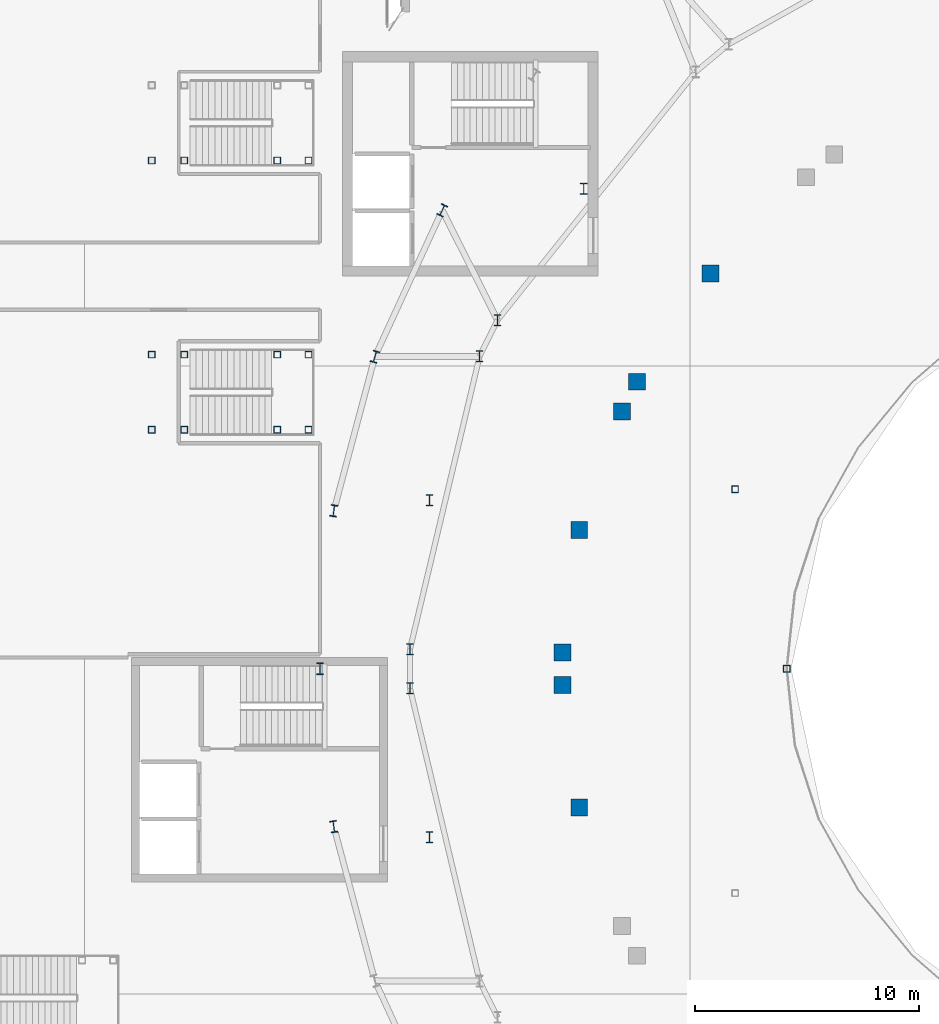
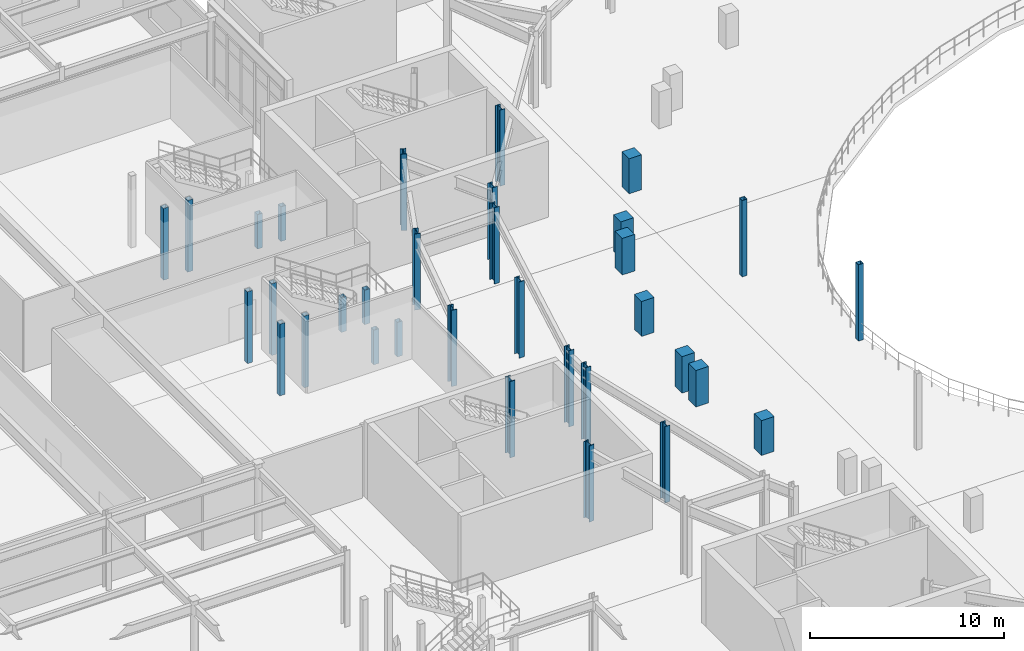
# One storey, part 9 of 84: 33 columns.
"""IFC4 building model written with IfcOpenShell, lengths in metres."""

import ifcopenshell
import ifcopenshell.guid

model = None  # the IFC model being written
_history = None  # IfcOwnerHistory: only IFC2X3 demands one
_inside = {}  # id of a spatial element -> (the spatial element, [elements in it])
_under = {}  # id of a project, library or spatial element -> (it, [spatial elements below it])
_declared = {}  # id of a project -> (the project, [libraries it declares])
_typed = {}  # id of a type object -> (the type object, [elements of that type])
_made_of = {}  # id of a material, layer set ... -> (it, [elements and type objects made of it])


def new_model(schema):
    """Start an empty IFC model of exactly this schema.

    Asked for "IFC4X3", IfcOpenShell would pick the latest addendum, in which some entities
    have other attributes; the version numbers below select the first issue.
    IFC2X3 requires an IfcOwnerHistory on every rooted entity: one is made here for all.
    """
    global model, _history
    if schema == "IFC4X3":
        model = ifcopenshell.file(schema_version=(4, 3, 0, 0))
    else:
        model = ifcopenshell.file(schema=schema)
    _inside.clear()
    _under.clear()
    _declared.clear()
    _typed.clear()
    _made_of.clear()
    _history = None
    if model.schema == "IFC2X3":
        org = make("IfcOrganization", Name="unknown")
        user = make(
            "IfcPersonAndOrganization",
            ThePerson=make("IfcPerson", FamilyName="unknown"),
            TheOrganization=org,
        )
        app = make(
            "IfcApplication",
            ApplicationDeveloper=org,
            Version="unknown",
            ApplicationFullName="unknown",
            ApplicationIdentifier="unknown",
        )
        _history = make(
            "IfcOwnerHistory",
            OwningUser=user,
            OwningApplication=app,
            ChangeAction="ADDED",
            CreationDate=0,
        )
    return model


def make(cls, **values):
    """One entity of the class cls with the attributes given. An attribute that is None is left unset."""
    return model.create_entity(
        cls, **{name: value for name, value in values.items() if value is not None}
    )


def rooted(cls, **values):
    """An entity with a GlobalId (a new one), such as an element, a storey or a relation."""
    return make(cls, GlobalId=ifcopenshell.guid.new(), OwnerHistory=_history, **values)


def si_unit(unit_type, name, prefix=None):
    """IfcSIUnit, for example si_unit("LENGTHUNIT", "METRE", prefix="MILLI")."""
    return make("IfcSIUnit", UnitType=unit_type, Prefix=prefix, Name=name)


def assignment(units):
    """IfcUnitAssignment: the units of a project."""
    return None if units is None else make("IfcUnitAssignment", Units=units)


def point(xyz):
    """IfcCartesianPoint."""
    return None if xyz is None else make("IfcCartesianPoint", Coordinates=xyz)


def direction(xyz):
    """IfcDirection."""
    return None if xyz is None else make("IfcDirection", DirectionRatios=xyz)


def frame(location, z_axis=None, x_axis=None):
    """IfcAxis2Placement3D, a coordinate frame: its origin and axes. An axis left out is left unset."""
    return make(
        "IfcAxis2Placement3D",
        Location=point(location),
        Axis=direction(z_axis),
        RefDirection=direction(x_axis),
    )


def frame_2d(location, x_axis=None):
    """IfcAxis2Placement2D, a coordinate frame in the plane: its origin and x axis."""
    return make(
        "IfcAxis2Placement2D", Location=point(location), RefDirection=direction(x_axis)
    )


def origin():
    """The frame at (0, 0, 0) with its axes left unset."""
    return frame((0.0, 0.0, 0.0))


def origin_2d():
    """The frame at (0, 0) in the plane with its x axis left unset."""
    return frame_2d((0.0, 0.0))


def place(relative_to, where):
    """IfcLocalPlacement: puts the frame where relative to a parent placement (None: the world)."""
    return make(
        "IfcLocalPlacement", PlacementRelTo=relative_to, RelativePlacement=where
    )


def context(
    kind, dimensions, precision=None, world=None, true_north=None, identifier=None
):
    """IfcGeometricRepresentationContext, for example the 3D "Model" context."""
    return make(
        "IfcGeometricRepresentationContext",
        ContextIdentifier=identifier,
        ContextType=kind,
        CoordinateSpaceDimension=dimensions,
        Precision=precision,
        WorldCoordinateSystem=world,
        TrueNorth=true_north,
    )


def subcontext(parent, identifier, kind, view, scale=None):
    """IfcGeometricRepresentationSubContext, for example "Body" below "Model"."""
    return make(
        "IfcGeometricRepresentationSubContext",
        ContextIdentifier=identifier,
        ContextType=kind,
        ParentContext=parent,
        TargetScale=scale,
        TargetView=view,
    )


def project(units=None, contexts=None):
    """IfcProject with its units and contexts."""
    return rooted(
        "IfcProject",
        Name="project",
        RepresentationContexts=contexts,
        UnitsInContext=assignment(units),
    )


def spatial(cls, under=None, at=None, **own):
    """A site, building, storey or space (cls), placed at a placement, below another one or the project."""
    s = rooted(cls, ObjectPlacement=at, **own)
    if under is not None:
        _under.setdefault(under.id(), (under, []))[1].append(s)
    return s


def profile(cls, at=None, kind="AREA", **sizes):
    """A parametric profile (cls). Its sizes go by their IFC names, for example OverallWidth=200.0."""
    return make(cls, ProfileType=kind, Position=at, **sizes)


def rectangle(**sizes):
    """IfcRectangleProfileDef."""
    return profile("IfcRectangleProfileDef", **sizes)


def hollow_rectangle(**sizes):
    """IfcRectangleHollowProfileDef."""
    return profile("IfcRectangleHollowProfileDef", **sizes)


def i_section(**sizes):
    """IfcIShapeProfileDef."""
    return profile("IfcIShapeProfileDef", **sizes)


def extrude(swept, where, along, depth):
    """IfcExtrudedAreaSolid: the profile swept, set in the frame where, extruded along a direction by depth."""
    return make(
        "IfcExtrudedAreaSolid",
        SweptArea=swept,
        Position=where,
        ExtrudedDirection=direction(along),
        Depth=depth,
    )


def shape(context_of_items, identifier, shape_type, items):
    """IfcShapeRepresentation: the items that make up one representation, for example the "Body"."""
    return make(
        "IfcShapeRepresentation",
        ContextOfItems=context_of_items,
        RepresentationIdentifier=identifier,
        RepresentationType=shape_type,
        Items=items,
    )


def material(Name=None, Category=None):
    """IfcMaterial."""
    return make("IfcMaterial", Name=Name, Category=Category)


def material_profile(
    of_material, cross_section, Name=None, Category=None, Priority=None
):
    """IfcMaterialProfile: a cross section and its material."""
    return make(
        "IfcMaterialProfile",
        Name=Name,
        Material=of_material,
        Profile=cross_section,
        Priority=Priority,
        Category=Category,
    )


def profile_set(profiles, Name=None, composite=None):
    """IfcMaterialProfileSet."""
    return make(
        "IfcMaterialProfileSet",
        Name=Name,
        MaterialProfiles=profiles,
        CompositeProfile=composite,
    )


def made_of(thing, what):
    """Note that an element or type object is made of a material, layer set ...; save() writes the relation."""
    if what is not None:
        _made_of.setdefault(what.id(), (what, []))[1].append(thing)
    return thing


def type_object(cls, material=None, **own):
    """A type object (cls), such as IfcWallType, which elements share."""
    return made_of(rooted(cls, **own), material)


def element(
    cls,
    number,
    at=None,
    inside=None,
    cuts=None,
    type_object=None,
    material=None,
    context=None,
    identifier="Body",
    shape_type=None,
    held_by="IfcProductDefinitionShape",
    body=None,
    shapes=None,
    **own,
):
    """One element of the class cls, such as IfcWall. Its Tag is "e" and its number.

    at: its placement. inside: the storey or other place that contains it. cuts: it is an
    opening in that element (IfcRelVoidsElement). A single representation is given by context,
    identifier, shape_type and body (its items); several are given by shapes. held_by: the class
    of the entity that holds the representations. save() writes the other relations.
    """
    e = rooted(cls, Tag="e%d" % number, ObjectPlacement=at, **own)
    if body is not None:
        shapes = [shape(context, identifier, shape_type, body)]
    if shapes is not None:
        e.Representation = make(held_by, Representations=shapes)
    if inside is not None:
        _inside.setdefault(inside.id(), (inside, []))[1].append(e)
    if cuts is not None:
        rooted(
            "IfcRelVoidsElement", RelatingBuildingElement=cuts, RelatedOpeningElement=e
        )
    if type_object is not None:
        _typed.setdefault(type_object.id(), (type_object, []))[1].append(e)
    return made_of(e, material)


def aggregate(whole, parts):
    """IfcRelAggregates: a whole, such as a stair, and the parts it consists of."""
    return rooted("IfcRelAggregates", RelatingObject=whole, RelatedObjects=parts)


def save(model, path):
    """Write the relations noted so far, then the file.

    IfcRelAggregates (storeys below a building ...), IfcRelContainedInSpatialStructure (elements
    in a storey), IfcRelDefinesByType, IfcRelAssociatesMaterial and IfcRelDeclares: one each for
    every whole, place, type object, material and project.
    """
    for whole, parts in _under.values():
        aggregate(whole, parts)
    for where, things in _inside.values():
        rooted(
            "IfcRelContainedInSpatialStructure",
            RelatedElements=things,
            RelatingStructure=where,
        )
    for kind, things in _typed.values():
        rooted("IfcRelDefinesByType", RelatedObjects=things, RelatingType=kind)
    for what, things in _made_of.values():
        rooted("IfcRelAssociatesMaterial", RelatedObjects=things, RelatingMaterial=what)
    for by, libraries in _declared.values():
        rooted("IfcRelDeclares", RelatingContext=by, RelatedDefinitions=libraries)
    model.write(path)


model = new_model("IFC4")

# Units and contexts
model_context = context("Model", 3, precision=1e-05, world=origin(), true_north=direction((0.0, 1.0)))
body_context = subcontext(model_context, "Body", "Model", "MODEL_VIEW")
ifc_project = project(units=[si_unit("LENGTHUNIT", "METRE"), si_unit("AREAUNIT", "SQUARE_METRE"), si_unit("VOLUMEUNIT", "CUBIC_METRE"), si_unit("PLANEANGLEUNIT", "RADIAN"), si_unit("MASSUNIT", "GRAM", prefix="KILO")], contexts=[model_context])

# Site, building, storey
site_placement = place(None, origin())
site = spatial("IfcSite", under=ifc_project, at=site_placement, CompositionType="ELEMENT")
building_placement = place(site_placement, origin())
building = spatial("IfcBuilding", under=site, at=building_placement, Name="Glasvene Arena", CompositionType="ELEMENT")
storey_placement = place(building_placement, frame((0.0, 0.0, 10.199951171875)))
storey = spatial("IfcBuildingStorey", under=building, at=storey_placement, Name="L02", CompositionType="ELEMENT", Elevation=10.199951171875)

# Columns
ifc_material_1 = material(Name="Concrete C40/50", Category="concrete")
ifc_material_profile_1 = material_profile(ifc_material_1, rectangle(XDim=0.75, YDim=0.75, at=origin_2d()), Name="RC 750x750")
ifc_profile_set_1 = profile_set([ifc_material_profile_1], Name="Concrete C40/50")
column_type_1 = type_object("IfcColumnType", Name="COL-MID-RC750", PredefinedType="COLUMN", material=ifc_profile_set_1)
for number, where, z_axis, x_axis, name in (
    (1, (56.133544921875, 85.79248046875, 0.0), (0.0, 0.0, 1.0), (1.0, 0.0, 0.0), "Mid-bowl fulcrum column L02 07-2"),
    (2, (55.452880859375, 84.46337890625, 0.0), (0.0, 0.0, 1.0), (1.0, 0.0, 0.0), "Mid-bowl fulcrum column L02 08-1"),
    (3, (52.81005859375, 73.71923828125, 0.0), (0.0, 0.0, 1.0), (1.0, 0.0, 0.0), "Mid-bowl fulcrum column L02 08-2"),
    (4, (52.81005859375, 72.28076171875, 0.0), (0.0, 0.0, 1.0), (1.0, 0.0, 0.0), "Mid-bowl fulcrum column L02 09-1"),
):
    element("IfcColumn", number, at=place(storey_placement, frame(where, z_axis=z_axis, x_axis=x_axis)), inside=storey, type_object=column_type_1, Name=name, PredefinedType="COLUMN", context=body_context, shape_type="SweptSolid", body=[
        extrude(rectangle(XDim=0.75, YDim=0.75, at=origin_2d()), origin(), (0.0, 0.0, 1.0), 2.300048828125),
    ])
for number, where, z_axis, x_axis, name in (
    (5, (59.406494140625, 90.611572265625, 0.0), (0.0, 0.0, 1.0), (1.0, 0.0, 0.0), "Mid-sector fulcrum column L02 07"),
    (6, (53.55322265625, 79.184326171875, 0.0), (0.0, 0.0, 1.0), (1.0, 0.0, 0.0), "Mid-sector fulcrum column L02 08"),
    (7, (53.55322265625, 66.815673828125, 0.0), (0.0, 0.0, 1.0), (1.0, 0.0, 0.0), "Mid-sector fulcrum column L02 09"),
):
    element("IfcColumn", number, at=place(storey_placement, frame(where, z_axis=z_axis, x_axis=x_axis)), inside=storey, type_object=column_type_1, Name=name, PredefinedType="COLUMN", context=body_context, shape_type="SweptSolid", body=[
        extrude(rectangle(XDim=0.75, YDim=0.75, at=origin_2d()), origin(), (0.0, 0.0, 1.0), 2.199951171875),
    ])
ifc_material_2 = material(Name="Steel S355J2", Category="steel")
ifc_material_profile_2 = material_profile(ifc_material_2, i_section(OverallWidth=0.305908203125, OverallDepth=0.52392578125, WebThickness=0.02099609375, FlangeThickness=0.0400390625, FilletRadius=0.027099609375, at=origin_2d()), Name="HEM 500")
ifc_profile_set_2 = profile_set([ifc_material_profile_2], Name="Steel S355J2")
column_type_2 = type_object("IfcColumnType", Name="COL-RING-HEM500", PredefinedType="COLUMN", material=ifc_profile_set_2)
for number, where, z_axis, x_axis, name in (
    (8, (47.44970703125, 93.4296875, 0.0), (0.0, 0.0, 1.0), (-0.909018020308, 0.416756810089, 0.0), "Bowl ring column R18 L02"),
    (9, (44.447265625, 86.90576171875, 0.0), (0.0, 0.0, 1.0), (-0.959805291975, 0.280666708921, 0.0), "Bowl ring column R19 L02"),
    (10, (42.615478515625, 80.03955078125, 0.0), (0.0, 0.0, 1.0), (-0.989999050734, 0.141074021516, 0.0), "Bowl ring column R20 L02"),
    (11, (42.0, 73.0, 0.0), (0.0, 0.0, 1.0), (-1.0, 0.0, 0.0), "Bowl ring column R21 L02"),
    (12, (42.615478515625, 65.96044921875, 0.0), (0.0, 0.0, 1.0), (-0.989999050734, -0.141074021516, 0.0), "Bowl ring column R22 L02"),
):
    element("IfcColumn", number, at=place(storey_placement, frame(where, z_axis=z_axis, x_axis=x_axis)), inside=storey, type_object=column_type_2, Name=name, PredefinedType="COLUMN", context=body_context, shape_type="SweptSolid", body=[
        extrude(i_section(OverallWidth=0.305908203125, OverallDepth=0.52392578125, WebThickness=0.02099609375, FlangeThickness=0.0400390625, FilletRadius=0.027099609375, at=origin_2d()), origin(), (0.0, 0.0, 1.0), 4.800048828125),
    ])
ifc_material_profile_3 = material_profile(ifc_material_2, i_section(OverallWidth=0.300048828125, OverallDepth=0.5, WebThickness=0.014404296875, FlangeThickness=0.028076171875, FilletRadius=0.027099609375, at=origin_2d()), Name="HEB 500")
ifc_profile_set_3 = profile_set([ifc_material_profile_3], Name="Steel S355J2")
column_type_3 = type_object("IfcColumnType", Name="COL-W-HEB500", PredefinedType="COLUMN", material=ifc_profile_set_3)
for number, where, z_axis, x_axis, name in (
    (13, (49.911865234375, 88.53662109375, 0.0), (0.0, 0.0, 1.0), (1.0, 0.0, 0.0), "Upper raker rear column L02 07-2"),
    (14, (49.113037109375, 86.922607421875, 0.0), (0.0, 0.0, 1.0), (1.0, 0.0, 0.0), "Upper raker rear column L02 08-1"),
    (15, (46.01171875, 73.87353515625, 0.0), (0.0, 0.0, 1.0), (1.0, 0.0, 0.0), "Upper raker rear column L02 08-2"),
    (16, (46.01171875, 72.12646484375, 0.0), (0.0, 0.0, 1.0), (1.0, 0.0, 0.0), "Upper raker rear column L02 09-1"),
    (17, (53.75244140625, 94.389404296875, 0.0), (0.0, 0.0, 1.0), (1.0, 0.0, 0.0), "Mid-sector rear raker column L02 07"),
    (18, (46.8837890625, 80.510986328125, 0.0), (0.0, 0.0, 1.0), (1.0, 0.0, 0.0), "Mid-sector rear raker column L02 08"),
    (19, (46.8837890625, 65.489013671875, 0.0), (0.0, 0.0, 1.0), (1.0, 0.0, 0.0), "Mid-sector rear raker column L02 09"),
):
    element("IfcColumn", number, at=place(storey_placement, frame(where, z_axis=z_axis, x_axis=x_axis)), inside=storey, type_object=column_type_3, Name=name, PredefinedType="COLUMN", context=body_context, shape_type="SweptSolid", body=[
        extrude(i_section(OverallWidth=0.300048828125, OverallDepth=0.5, WebThickness=0.014404296875, FlangeThickness=0.028076171875, FilletRadius=0.027099609375, at=origin_2d()), origin(), (0.0, 0.0, 1.0), 4.800048828125),
    ])
ifc_material_profile_4 = material_profile(ifc_material_2, hollow_rectangle(XDim=0.300048828125, YDim=0.300048828125, WallThickness=0.012451171875, at=origin_2d()), Name="SHS 300x300x12.5")
ifc_profile_set_4 = profile_set([ifc_material_profile_4], Name="Steel S355J2")
column_type_4 = type_object("IfcColumnType", Name="COL-W-SHS300", PredefinedType="COLUMN", material=ifc_profile_set_4)
for number, where, z_axis, x_axis, name in (
    (20, (60.5, 81.0, 0.0), (0.0, 0.0, 1.0), (1.0, 0.0, 0.0), "Sector 3-3 support column L02-2"),
    (21, (62.800048828125, 73.0, 0.0), (0.0, 0.0, 1.0), (1.0, 0.0, 0.0), "Sector 3-3 support column L02-3"),
):
    element("IfcColumn", number, at=place(storey_placement, frame(where, z_axis=z_axis, x_axis=x_axis)), inside=storey, type_object=column_type_4, Name=name, PredefinedType="COLUMN", context=body_context, shape_type="SweptSolid", body=[
        extrude(hollow_rectangle(XDim=0.300048828125, YDim=0.300048828125, WallThickness=0.012451171875, at=origin_2d()), origin(), (0.0, 0.0, 1.0), 4.800048828125),
    ])
for number, where, z_axis, x_axis, name in (
    (22, (34.5, 95.64990234375, 0.0), (0.0, 0.0, 1.0), (1.0, 0.0, 0.0), "Vomitory arrival support column VOM-06 L02"),
    (23, (35.949951171875, 95.64990234375, 0.0), (0.0, 0.0, 1.0), (1.0, 0.0, 0.0), "Vomitory arrival support column VOM-06 L02"),
):
    element("IfcColumn", number, at=place(storey_placement, frame(where, z_axis=z_axis, x_axis=x_axis)), inside=storey, type_object=column_type_4, Name=name, PredefinedType="COLUMN", context=body_context, shape_type="SweptSolid", body=[
        extrude(hollow_rectangle(XDim=0.300048828125, YDim=0.300048828125, WallThickness=0.012451171875, at=origin_2d()), origin(), (0.0, 0.0, 1.0), 4.52001953125),
    ])
for number, where, z_axis, x_axis, name in (
    (24, (40.090087890625, 95.64990234375, 0.0), (0.0, 0.0, 1.0), (1.0, 0.0, 0.0), "Vomitory landing column VOM-06 L02"),
    (25, (41.489990234375, 95.64990234375, 0.0), (0.0, 0.0, 1.0), (1.0, 0.0, 0.0), "Vomitory landing column VOM-06 L02"),
):
    element("IfcColumn", number, at=place(storey_placement, frame(where, z_axis=z_axis, x_axis=x_axis)), inside=storey, type_object=column_type_4, Name=name, PredefinedType="COLUMN", context=body_context, shape_type="SweptSolid", body=[
        extrude(hollow_rectangle(XDim=0.300048828125, YDim=0.300048828125, WallThickness=0.012451171875, at=origin_2d()), origin(), (0.0, 0.0, 1.0), 2.179931640625),
    ])
for number, where, z_axis, x_axis, name in (
    (26, (34.5, 83.64990234375, 0.0), (0.0, 0.0, 1.0), (1.0, 0.0, 0.0), "Vomitory arrival support column VOM-07 L02"),
    (27, (34.5, 87.0, 0.0), (0.0, 0.0, 1.0), (1.0, 0.0, 0.0), "Vomitory arrival support column VOM-07 L02"),
    (28, (35.949951171875, 83.64990234375, 0.0), (0.0, 0.0, 1.0), (1.0, 0.0, 0.0), "Vomitory arrival support column VOM-07 L02"),
    (29, (35.949951171875, 87.0, 0.0), (0.0, 0.0, 1.0), (1.0, 0.0, 0.0), "Vomitory arrival support column VOM-07 L02"),
):
    element("IfcColumn", number, at=place(storey_placement, frame(where, z_axis=z_axis, x_axis=x_axis)), inside=storey, type_object=column_type_4, Name=name, PredefinedType="COLUMN", context=body_context, shape_type="SweptSolid", body=[
        extrude(hollow_rectangle(XDim=0.300048828125, YDim=0.300048828125, WallThickness=0.012451171875, at=origin_2d()), origin(), (0.0, 0.0, 1.0), 4.52001953125),
    ])
for number, where, z_axis, x_axis, name in (
    (30, (40.090087890625, 83.64990234375, 0.0), (0.0, 0.0, 1.0), (1.0, 0.0, 0.0), "Vomitory landing column VOM-07 L02"),
    (31, (40.090087890625, 87.0, 0.0), (0.0, 0.0, 1.0), (1.0, 0.0, 0.0), "Vomitory landing column VOM-07 L02"),
    (32, (41.489990234375, 83.64990234375, 0.0), (0.0, 0.0, 1.0), (1.0, 0.0, 0.0), "Vomitory landing column VOM-07 L02"),
    (33, (41.489990234375, 87.0, 0.0), (0.0, 0.0, 1.0), (1.0, 0.0, 0.0), "Vomitory landing column VOM-07 L02"),
):
    element("IfcColumn", number, at=place(storey_placement, frame(where, z_axis=z_axis, x_axis=x_axis)), inside=storey, type_object=column_type_4, Name=name, PredefinedType="COLUMN", context=body_context, shape_type="SweptSolid", body=[
        extrude(hollow_rectangle(XDim=0.300048828125, YDim=0.300048828125, WallThickness=0.012451171875, at=origin_2d()), origin(), (0.0, 0.0, 1.0), 2.179931640625),
    ])

save(model, "model.ifc")
